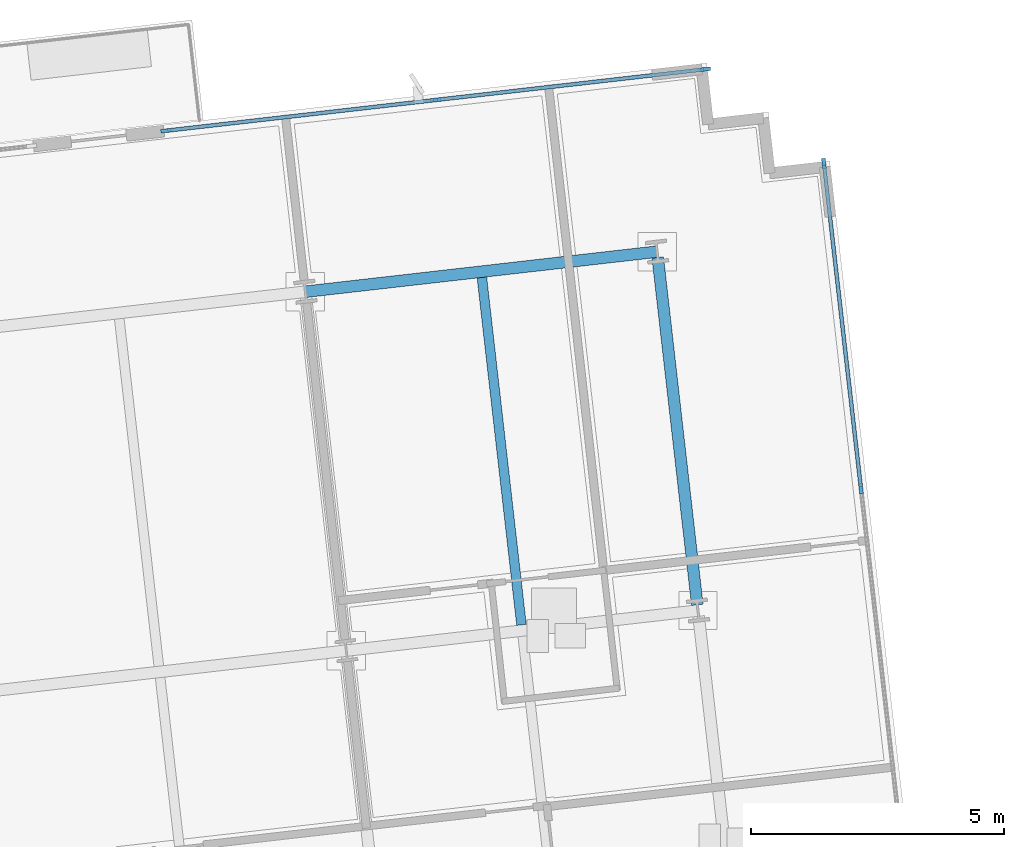
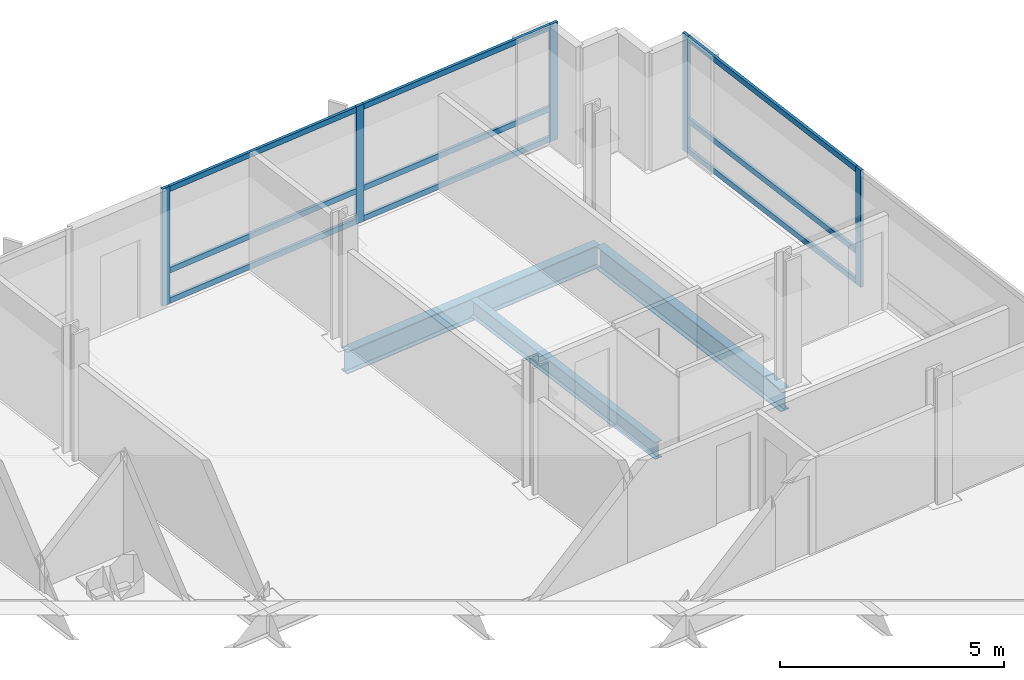
# One storey, part 6 of 16: 14 members, 3 beams, 2 elements without a shape of their own.
"""IFC4 building model written with IfcOpenShell, lengths in metres."""

import ifcopenshell
import ifcopenshell.guid

model = None  # the IFC model being written
_history = None  # IfcOwnerHistory: only IFC2X3 demands one
_inside = {}  # id of a spatial element -> (the spatial element, [elements in it])
_under = {}  # id of a project, library or spatial element -> (it, [spatial elements below it])
_declared = {}  # id of a project -> (the project, [libraries it declares])
_typed = {}  # id of a type object -> (the type object, [elements of that type])
_made_of = {}  # id of a material, layer set ... -> (it, [elements and type objects made of it])


def new_model(schema):
    """Start an empty IFC model of exactly this schema.

    Asked for "IFC4X3", IfcOpenShell would pick the latest addendum, in which some entities
    have other attributes; the version numbers below select the first issue.
    IFC2X3 requires an IfcOwnerHistory on every rooted entity: one is made here for all.
    """
    global model, _history
    if schema == "IFC4X3":
        model = ifcopenshell.file(schema_version=(4, 3, 0, 0))
    else:
        model = ifcopenshell.file(schema=schema)
    _inside.clear()
    _under.clear()
    _declared.clear()
    _typed.clear()
    _made_of.clear()
    _history = None
    if model.schema == "IFC2X3":
        org = make("IfcOrganization", Name="unknown")
        user = make(
            "IfcPersonAndOrganization",
            ThePerson=make("IfcPerson", FamilyName="unknown"),
            TheOrganization=org,
        )
        app = make(
            "IfcApplication",
            ApplicationDeveloper=org,
            Version="unknown",
            ApplicationFullName="unknown",
            ApplicationIdentifier="unknown",
        )
        _history = make(
            "IfcOwnerHistory",
            OwningUser=user,
            OwningApplication=app,
            ChangeAction="ADDED",
            CreationDate=0,
        )
    return model


def make(cls, **values):
    """One entity of the class cls with the attributes given. An attribute that is None is left unset."""
    return model.create_entity(
        cls, **{name: value for name, value in values.items() if value is not None}
    )


def rooted(cls, **values):
    """An entity with a GlobalId (a new one), such as an element, a storey or a relation."""
    return make(cls, GlobalId=ifcopenshell.guid.new(), OwnerHistory=_history, **values)


def si_unit(unit_type, name, prefix=None):
    """IfcSIUnit, for example si_unit("LENGTHUNIT", "METRE", prefix="MILLI")."""
    return make("IfcSIUnit", UnitType=unit_type, Prefix=prefix, Name=name)


def assignment(units):
    """IfcUnitAssignment: the units of a project."""
    return None if units is None else make("IfcUnitAssignment", Units=units)


def point(xyz):
    """IfcCartesianPoint."""
    return None if xyz is None else make("IfcCartesianPoint", Coordinates=xyz)


def direction(xyz):
    """IfcDirection."""
    return None if xyz is None else make("IfcDirection", DirectionRatios=xyz)


def frame(location, z_axis=None, x_axis=None):
    """IfcAxis2Placement3D, a coordinate frame: its origin and axes. An axis left out is left unset."""
    return make(
        "IfcAxis2Placement3D",
        Location=point(location),
        Axis=direction(z_axis),
        RefDirection=direction(x_axis),
    )


def frame_2d(location, x_axis=None):
    """IfcAxis2Placement2D, a coordinate frame in the plane: its origin and x axis."""
    return make(
        "IfcAxis2Placement2D", Location=point(location), RefDirection=direction(x_axis)
    )


def origin():
    """The frame at (0, 0, 0) with its axes left unset."""
    return frame((0.0, 0.0, 0.0))


def origin_2d():
    """The frame at (0, 0) in the plane with its x axis left unset."""
    return frame_2d((0.0, 0.0))


def place(relative_to, where):
    """IfcLocalPlacement: puts the frame where relative to a parent placement (None: the world)."""
    return make(
        "IfcLocalPlacement", PlacementRelTo=relative_to, RelativePlacement=where
    )


def context(
    kind, dimensions, precision=None, world=None, true_north=None, identifier=None
):
    """IfcGeometricRepresentationContext, for example the 3D "Model" context."""
    return make(
        "IfcGeometricRepresentationContext",
        ContextIdentifier=identifier,
        ContextType=kind,
        CoordinateSpaceDimension=dimensions,
        Precision=precision,
        WorldCoordinateSystem=world,
        TrueNorth=true_north,
    )


def subcontext(parent, identifier, kind, view, scale=None):
    """IfcGeometricRepresentationSubContext, for example "Body" below "Model"."""
    return make(
        "IfcGeometricRepresentationSubContext",
        ContextIdentifier=identifier,
        ContextType=kind,
        ParentContext=parent,
        TargetScale=scale,
        TargetView=view,
    )


def project(units=None, contexts=None):
    """IfcProject with its units and contexts."""
    return rooted(
        "IfcProject",
        Name="project",
        RepresentationContexts=contexts,
        UnitsInContext=assignment(units),
    )


def spatial(cls, under=None, at=None, **own):
    """A site, building, storey or space (cls), placed at a placement, below another one or the project."""
    s = rooted(cls, ObjectPlacement=at, **own)
    if under is not None:
        _under.setdefault(under.id(), (under, []))[1].append(s)
    return s


def profile(cls, at=None, kind="AREA", **sizes):
    """A parametric profile (cls). Its sizes go by their IFC names, for example OverallWidth=200.0."""
    return make(cls, ProfileType=kind, Position=at, **sizes)


def rectangle(**sizes):
    """IfcRectangleProfileDef."""
    return profile("IfcRectangleProfileDef", **sizes)


def i_section(**sizes):
    """IfcIShapeProfileDef."""
    return profile("IfcIShapeProfileDef", **sizes)


def extrude(swept, where, along, depth):
    """IfcExtrudedAreaSolid: the profile swept, set in the frame where, extruded along a direction by depth."""
    return make(
        "IfcExtrudedAreaSolid",
        SweptArea=swept,
        Position=where,
        ExtrudedDirection=direction(along),
        Depth=depth,
    )


def shape(context_of_items, identifier, shape_type, items):
    """IfcShapeRepresentation: the items that make up one representation, for example the "Body"."""
    return make(
        "IfcShapeRepresentation",
        ContextOfItems=context_of_items,
        RepresentationIdentifier=identifier,
        RepresentationType=shape_type,
        Items=items,
    )


def material(Name=None, Category=None):
    """IfcMaterial."""
    return make("IfcMaterial", Name=Name, Category=Category)


def material_profile(
    of_material, cross_section, Name=None, Category=None, Priority=None
):
    """IfcMaterialProfile: a cross section and its material."""
    return make(
        "IfcMaterialProfile",
        Name=Name,
        Material=of_material,
        Profile=cross_section,
        Priority=Priority,
        Category=Category,
    )


def profile_set(profiles, Name=None, composite=None):
    """IfcMaterialProfileSet."""
    return make(
        "IfcMaterialProfileSet",
        Name=Name,
        MaterialProfiles=profiles,
        CompositeProfile=composite,
    )


def made_of(thing, what):
    """Note that an element or type object is made of a material, layer set ...; save() writes the relation."""
    if what is not None:
        _made_of.setdefault(what.id(), (what, []))[1].append(thing)
    return thing


def type_object(cls, material=None, **own):
    """A type object (cls), such as IfcWallType, which elements share."""
    return made_of(rooted(cls, **own), material)


def element(
    cls,
    number,
    at=None,
    inside=None,
    cuts=None,
    type_object=None,
    material=None,
    context=None,
    identifier="Body",
    shape_type=None,
    held_by="IfcProductDefinitionShape",
    body=None,
    shapes=None,
    **own,
):
    """One element of the class cls, such as IfcWall. Its Tag is "e" and its number.

    at: its placement. inside: the storey or other place that contains it. cuts: it is an
    opening in that element (IfcRelVoidsElement). A single representation is given by context,
    identifier, shape_type and body (its items); several are given by shapes. held_by: the class
    of the entity that holds the representations. save() writes the other relations.
    """
    e = rooted(cls, Tag="e%d" % number, ObjectPlacement=at, **own)
    if body is not None:
        shapes = [shape(context, identifier, shape_type, body)]
    if shapes is not None:
        e.Representation = make(held_by, Representations=shapes)
    if inside is not None:
        _inside.setdefault(inside.id(), (inside, []))[1].append(e)
    if cuts is not None:
        rooted(
            "IfcRelVoidsElement", RelatingBuildingElement=cuts, RelatedOpeningElement=e
        )
    if type_object is not None:
        _typed.setdefault(type_object.id(), (type_object, []))[1].append(e)
    return made_of(e, material)


def aggregate(whole, parts):
    """IfcRelAggregates: a whole, such as a stair, and the parts it consists of."""
    return rooted("IfcRelAggregates", RelatingObject=whole, RelatedObjects=parts)


def save(model, path):
    """Write the relations noted so far, then the file.

    IfcRelAggregates (storeys below a building ...), IfcRelContainedInSpatialStructure (elements
    in a storey), IfcRelDefinesByType, IfcRelAssociatesMaterial and IfcRelDeclares: one each for
    every whole, place, type object, material and project.
    """
    for whole, parts in _under.values():
        aggregate(whole, parts)
    for where, things in _inside.values():
        rooted(
            "IfcRelContainedInSpatialStructure",
            RelatedElements=things,
            RelatingStructure=where,
        )
    for kind, things in _typed.values():
        rooted("IfcRelDefinesByType", RelatedObjects=things, RelatingType=kind)
    for what, things in _made_of.values():
        rooted("IfcRelAssociatesMaterial", RelatedObjects=things, RelatingMaterial=what)
    for by, libraries in _declared.values():
        rooted("IfcRelDeclares", RelatingContext=by, RelatedDefinitions=libraries)
    model.write(path)


model = new_model("IFC4")

# Units and contexts
model_context = context("Model", 3, precision=1e-05, world=origin(), true_north=direction((0.0, 1.0)))
body_context = subcontext(model_context, "Body", "Model", "MODEL_VIEW")
ifc_project = project(units=[si_unit("LENGTHUNIT", "METRE"), si_unit("AREAUNIT", "SQUARE_METRE"), si_unit("VOLUMEUNIT", "CUBIC_METRE"), si_unit("PLANEANGLEUNIT", "RADIAN"), si_unit("MASSUNIT", "GRAM", prefix="KILO")], contexts=[model_context])

# Site, building, storey
site_placement = place(None, origin())
site = spatial("IfcSite", under=ifc_project, at=site_placement, CompositionType="ELEMENT")
building_placement = place(site_placement, origin())
building = spatial("IfcBuilding", under=site, at=building_placement, Name="Solmavex Isthmus Hotel", CompositionType="ELEMENT")
storey_placement = place(building_placement, frame((0.0, 0.0, 212.39990234375)))
storey = spatial("IfcBuildingStorey", under=building, at=storey_placement, Name="L57", CompositionType="ELEMENT", Elevation=212.39990234375)

# Beams
ifc_material_1 = material(Name="Steel ASTM A992 Grade 50", Category="steel")
ifc_material_profile_1 = material_profile(ifc_material_1, i_section(OverallWidth=0.1904296875, OverallDepth=0.456787109375, WebThickness=0.009033203125, FlangeThickness=0.014404296875, FilletRadius=0.0126953125, at=origin_2d()), Name="W18X50")
ifc_profile_set_1 = profile_set([ifc_material_profile_1], Name="Steel ASTM A992 Grade 50")
beam_type_1 = type_object("IfcBeamType", Name="BM-BJ-W18X50", PredefinedType="JOIST", material=ifc_profile_set_1)
beam_1_placement = place(storey_placement, frame((21.587646484375, 11.7939453125, -0.48828125), z_axis=(-0.113202453846, 0.993571942258, 0.0), x_axis=(-0.993571942258, -0.113202453846, 0.0)))
element("IfcBeam", 1, at=beam_1_placement, inside=storey, type_object=beam_type_1, Name="Secondary Floor Joist L57-J21", PredefinedType="JOIST", context=body_context, shape_type="SweptSolid", body=[
    extrude(i_section(OverallWidth=0.1904296875, OverallDepth=0.456787109375, WebThickness=0.009033203125, FlangeThickness=0.014404296875, FilletRadius=0.0126953125, at=origin_2d()), origin(), (0.0, 0.0, 1.0), 6.9228515625),
])
ifc_material_profile_2 = material_profile(ifc_material_1, i_section(OverallWidth=0.230224609375, OverallDepth=0.617431640625, WebThickness=0.01318359375, FlangeThickness=0.022216796875, FilletRadius=0.01513671875, at=origin_2d()), Name="W24X94")
ifc_profile_set_2 = profile_set([ifc_material_profile_2], Name="Steel ASTM A992 Grade 50")
beam_type_2 = type_object("IfcBeamType", Name="BM-SP-W24X94", PredefinedType="SPANDREL", material=ifc_profile_set_2)
beam_2_placement = place(storey_placement, frame((17.3095703125, 18.39013671875, -0.568603515625), z_axis=(0.99357359356, 0.113187959519, 0.0), x_axis=(-0.113187959519, 0.99357359356, 0.0)))
element("IfcBeam", 2, at=beam_2_placement, inside=storey, type_object=beam_type_2, Name="Floor Girder L57-UG23", PredefinedType="SPANDREL", context=body_context, shape_type="SweptSolid", body=[
    extrude(i_section(OverallWidth=0.230224609375, OverallDepth=0.617431640625, WebThickness=0.01318359375, FlangeThickness=0.022216796875, FilletRadius=0.01513671875, at=origin_2d()), origin(), (0.0, 0.0, 1.0), 7.0078125),
])
beam_3_placement = place(storey_placement, frame((25.0693359375, 12.1904296875, -0.568603515625), z_axis=(-0.113202453846, 0.993571942258, 0.0), x_axis=(-0.993571942258, -0.113202453846, 0.0)))
element("IfcBeam", 3, at=beam_3_placement, inside=storey, type_object=beam_type_2, Name="Floor Beam L57-VG45", PredefinedType="SPANDREL", context=body_context, shape_type="SweptSolid", body=[
    extrude(i_section(OverallWidth=0.230224609375, OverallDepth=0.617431640625, WebThickness=0.01318359375, FlangeThickness=0.022216796875, FilletRadius=0.01513671875, at=origin_2d()), origin(), (0.0, 0.0, 1.0), 6.9228515625),
])

# Curtain wall, members
ifc_material_2 = material(Name="Aluminium alloy 6063-T6", Category="aluminium")
curtain_wall_type = type_object("IfcCurtainWallType", Name="CW-SYS-04", PredefinedType="NOTDEFINED", material=ifc_material_2)
curtain_wall_1_placement = place(storey_placement, origin())
curtain_wall_1 = element("IfcCurtainWall", 4, at=curtain_wall_1_placement, inside=storey, type_object=curtain_wall_type, Name="Stick Curtain Wall CWL-L57-N3", PredefinedType="NOTDEFINED")
ifc_material_profile_3 = material_profile(ifc_material_2, rectangle(XDim=0.074951171875, YDim=0.199951171875, at=origin_2d()), Name="CWM-75X200")
ifc_profile_set_3 = profile_set([ifc_material_profile_3], Name="Aluminium alloy 6063-T6")
member_type_1 = type_object("IfcMemberType", Name="CW-SYS-04-MUL", PredefinedType="MULLION", material=ifc_profile_set_3)
member_1_placement = place(storey_placement, frame((14.54541015625, 21.57763671875, 0.0), z_axis=(0.0, 0.0, 1.0), x_axis=(-0.113203726319, 0.993571797279, 0.0)))
member_1 = element("IfcMember", 5, at=member_1_placement, type_object=member_type_1, Name="CW-04 mullion 1", PredefinedType="MULLION", context=body_context, shape_type="SweptSolid", body=[
    extrude(rectangle(XDim=0.074951171875, YDim=0.199951171875, at=origin_2d()), origin(), (0.0, 0.0, 1.0), 3.190185546875),
])
member_2_placement = place(storey_placement, frame((19.888916015625, 22.1865234375, 0.0), z_axis=(0.0, 0.0, 1.0), x_axis=(-0.113203726319, 0.993571797279, 0.0)))
member_2 = element("IfcMember", 6, at=member_2_placement, type_object=member_type_1, Name="CW-04 mullion 2", PredefinedType="MULLION", context=body_context, shape_type="SweptSolid", body=[
    extrude(rectangle(XDim=0.074951171875, YDim=0.199951171875, at=origin_2d()), origin(), (0.0, 0.0, 1.0), 3.190185546875),
])
member_3_placement = place(storey_placement, frame((25.232177734375, 22.795166015625, 0.0), z_axis=(0.0, 0.0, 1.0), x_axis=(-0.113203726319, 0.993571797279, 0.0)))
member_3 = element("IfcMember", 7, at=member_3_placement, type_object=member_type_1, Name="CW-04 mullion 3", PredefinedType="MULLION", context=body_context, shape_type="SweptSolid", body=[
    extrude(rectangle(XDim=0.074951171875, YDim=0.199951171875, at=origin_2d()), origin(), (0.0, 0.0, 1.0), 3.190185546875),
])

curtain_wall_2_placement = place(storey_placement, origin())
curtain_wall_2 = element("IfcCurtainWall", 8, at=curtain_wall_2_placement, inside=storey, type_object=curtain_wall_type, Name="Stick Curtain Wall CWL-L57-E1", PredefinedType="NOTDEFINED")
member_4_placement = place(storey_placement, frame((28.309814453125, 14.490234375, 0.0), z_axis=(0.0, 0.0, 1.0), x_axis=(-0.993571836648, -0.11320338078, 0.0)))
member_4 = element("IfcMember", 9, at=member_4_placement, type_object=member_type_1, Name="CW-04 mullion 5", PredefinedType="MULLION", context=body_context, shape_type="SweptSolid", body=[
    extrude(rectangle(XDim=0.074951171875, YDim=0.199951171875, at=origin_2d()), origin(), (0.0, 0.0, 1.0), 3.190185546875),
])
member_5_placement = place(storey_placement, frame((27.575927734375, 20.93115234375, 0.0), z_axis=(0.0, 0.0, 1.0), x_axis=(-0.993571836648, -0.11320338078, 0.0)))
member_5 = element("IfcMember", 10, at=member_5_placement, type_object=member_type_1, Name="CW-04 mullion 6", PredefinedType="MULLION", context=body_context, shape_type="SweptSolid", body=[
    extrude(rectangle(XDim=0.074951171875, YDim=0.199951171875, at=origin_2d()), origin(), (0.0, 0.0, 1.0), 3.190185546875),
])

# Member
ifc_material_profile_4 = material_profile(ifc_material_2, rectangle(XDim=0.074951171875, YDim=0.14990234375, at=origin_2d()), Name="CWT-75X150")
ifc_profile_set_4 = profile_set([ifc_material_profile_4], Name="Aluminium alloy 6063-T6")
member_type_2 = type_object("IfcMemberType", Name="CW-SYS-04-TRN", PredefinedType="USERDEFINED", material=ifc_profile_set_4)
member_6_placement = place(storey_placement, frame((14.582763671875, 21.581787109375, 0.0751953125), z_axis=(0.993571049718, 0.113210287348, 0.0), x_axis=(-0.113210287348, 0.993571049718, 0.0)))
member_6 = element("IfcMember", 11, at=member_6_placement, type_object=member_type_2, Name="CW-04 transom 1.1", ObjectType="TRANSOM", PredefinedType="USERDEFINED", context=body_context, shape_type="SweptSolid", body=[
    extrude(rectangle(XDim=0.074951171875, YDim=0.14990234375, at=origin_2d()), origin(), (0.0, 0.0, 1.0), 5.302978515625),
])

member_7_placement = place(storey_placement, frame((14.582763671875, 21.581787109375, 0.900146484375), z_axis=(0.993571049718, 0.113210287348, 0.0), x_axis=(-0.113210287348, 0.993571049718, 0.0)))
member_7 = element("IfcMember", 12, at=member_7_placement, type_object=member_type_2, Name="CW-04 transom 1.2", ObjectType="TRANSOM", PredefinedType="USERDEFINED", context=body_context, shape_type="SweptSolid", body=[
    extrude(rectangle(XDim=0.074951171875, YDim=0.14990234375, at=origin_2d()), origin(), (0.0, 0.0, 1.0), 5.302978515625),
])

member_8_placement = place(storey_placement, frame((14.582763671875, 21.581787109375, 3.114990234375), z_axis=(0.993571049718, 0.113210287348, 0.0), x_axis=(-0.113210287348, 0.993571049718, 0.0)))
member_8 = element("IfcMember", 13, at=member_8_placement, type_object=member_type_2, Name="CW-04 transom 1.3", ObjectType="TRANSOM", PredefinedType="USERDEFINED", context=body_context, shape_type="SweptSolid", body=[
    extrude(rectangle(XDim=0.074951171875, YDim=0.14990234375, at=origin_2d()), origin(), (0.0, 0.0, 1.0), 5.302978515625),
])

member_9_placement = place(storey_placement, frame((19.926025390625, 22.190673828125, 0.0751953125), z_axis=(0.993571639742, 0.113205108986, 0.0), x_axis=(-0.113205108986, 0.993571639742, 0.0)))
member_9 = element("IfcMember", 14, at=member_9_placement, type_object=member_type_2, Name="CW-04 transom 2.1", ObjectType="TRANSOM", PredefinedType="USERDEFINED", context=body_context, shape_type="SweptSolid", body=[
    extrude(rectangle(XDim=0.074951171875, YDim=0.14990234375, at=origin_2d()), origin(), (0.0, 0.0, 1.0), 5.30322265625),
])

member_10_placement = place(storey_placement, frame((19.926025390625, 22.190673828125, 0.900146484375), z_axis=(0.993571639742, 0.113205108986, 0.0), x_axis=(-0.113205108986, 0.993571639742, 0.0)))
member_10 = element("IfcMember", 15, at=member_10_placement, type_object=member_type_2, Name="CW-04 transom 2.2", ObjectType="TRANSOM", PredefinedType="USERDEFINED", context=body_context, shape_type="SweptSolid", body=[
    extrude(rectangle(XDim=0.074951171875, YDim=0.14990234375, at=origin_2d()), origin(), (0.0, 0.0, 1.0), 5.30322265625),
])

member_11_placement = place(storey_placement, frame((19.926025390625, 22.190673828125, 3.114990234375), z_axis=(0.993571639742, 0.113205108986, 0.0), x_axis=(-0.113205108986, 0.993571639742, 0.0)))
member_11 = element("IfcMember", 16, at=member_11_placement, type_object=member_type_2, Name="CW-04 transom 2.3", ObjectType="TRANSOM", PredefinedType="USERDEFINED", context=body_context, shape_type="SweptSolid", body=[
    extrude(rectangle(XDim=0.074951171875, YDim=0.14990234375, at=origin_2d()), origin(), (0.0, 0.0, 1.0), 5.30322265625),
])

aggregate(curtain_wall_1, [member_1, member_2, member_3, member_6, member_7, member_8, member_9, member_10, member_11])

member_12_placement = place(storey_placement, frame((28.305419921875, 14.527587890625, 0.0751953125), z_axis=(-0.113203780919, 0.993571791058, 0.0), x_axis=(-0.993571791058, -0.113203780919, 0.0)))
member_12 = element("IfcMember", 17, at=member_12_placement, type_object=member_type_2, Name="CW-04 transom 5.1", ObjectType="TRANSOM", PredefinedType="USERDEFINED", context=body_context, shape_type="SweptSolid", body=[
    extrude(rectangle(XDim=0.074951171875, YDim=0.14990234375, at=origin_2d()), origin(), (0.0, 0.0, 1.0), 6.407470703125),
])

member_13_placement = place(storey_placement, frame((28.305419921875, 14.527587890625, 0.900146484375), z_axis=(-0.113203780919, 0.993571791058, 0.0), x_axis=(-0.993571791058, -0.113203780919, 0.0)))
member_13 = element("IfcMember", 18, at=member_13_placement, type_object=member_type_2, Name="CW-04 transom 5.2", ObjectType="TRANSOM", PredefinedType="USERDEFINED", context=body_context, shape_type="SweptSolid", body=[
    extrude(rectangle(XDim=0.074951171875, YDim=0.14990234375, at=origin_2d()), origin(), (0.0, 0.0, 1.0), 6.407470703125),
])

member_14_placement = place(storey_placement, frame((28.305419921875, 14.527587890625, 3.114990234375), z_axis=(-0.113203780919, 0.993571791058, 0.0), x_axis=(-0.993571791058, -0.113203780919, 0.0)))
member_14 = element("IfcMember", 19, at=member_14_placement, type_object=member_type_2, Name="CW-04 transom 5.3", ObjectType="TRANSOM", PredefinedType="USERDEFINED", context=body_context, shape_type="SweptSolid", body=[
    extrude(rectangle(XDim=0.074951171875, YDim=0.14990234375, at=origin_2d()), origin(), (0.0, 0.0, 1.0), 6.407470703125),
])

aggregate(curtain_wall_2, [member_4, member_5, member_12, member_13, member_14])

save(model, "model.ifc")
